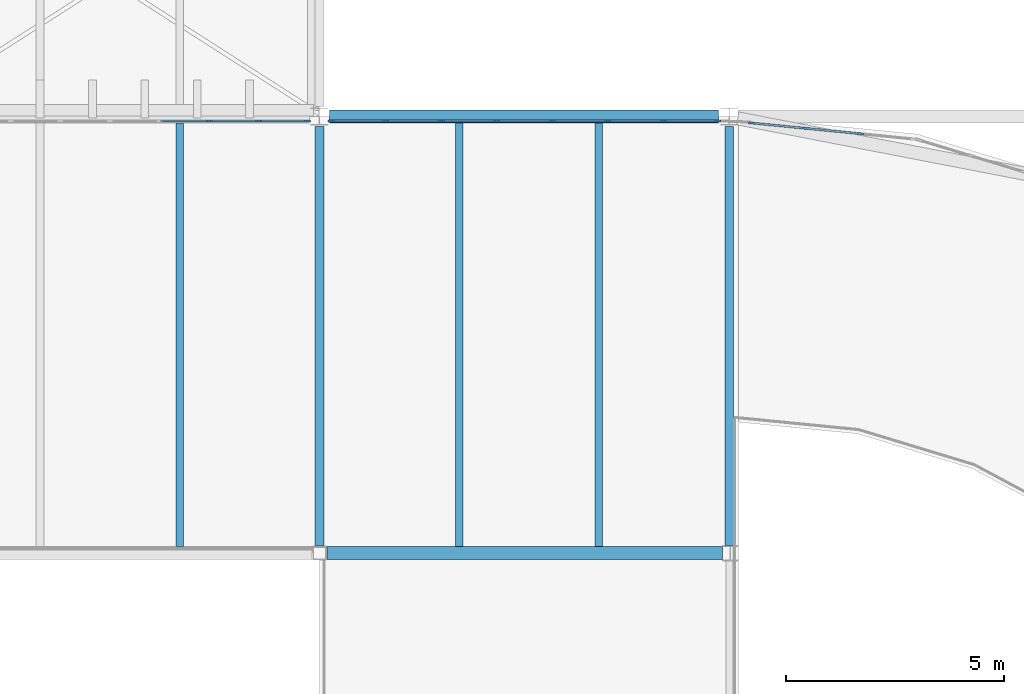
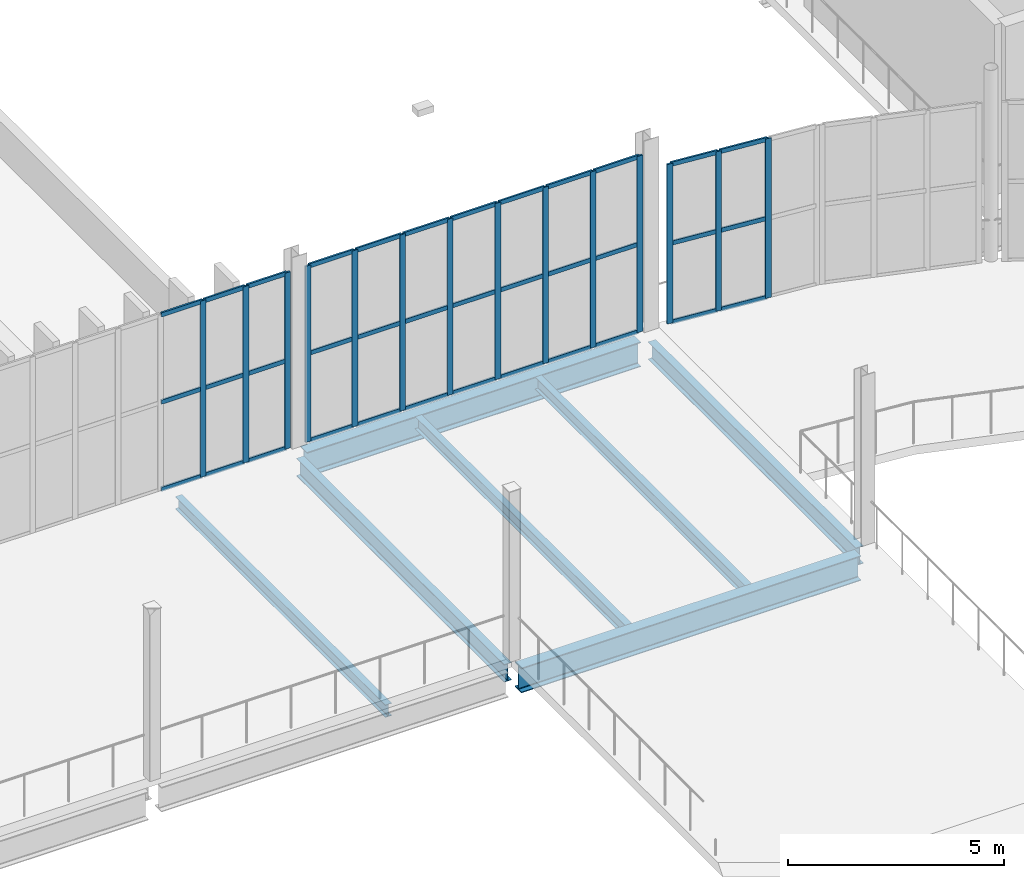
# One storey, part 66 of 112: 50 members, 7 beams, 3 elements without a shape of their own.
"""IFC4 building model written with IfcOpenShell, lengths in metres."""

from ifc_helpers import new_model, si_unit, direction, frame, origin, origin_2d, place, context, subcontext, project, spatial, rectangle, i_section, extrude, material, layer, layer_set, material_profile, profile_set, type_object, element, aggregate, save


model = new_model("IFC4")

# Units and contexts
model_context = context("Model", 3, precision=1e-05, world=origin(), true_north=direction((0.0, 1.0)))
body_context = subcontext(model_context, "Body", "Model", "MODEL_VIEW")
ifc_project = project(units=[si_unit("LENGTHUNIT", "METRE"), si_unit("AREAUNIT", "SQUARE_METRE"), si_unit("VOLUMEUNIT", "CUBIC_METRE"), si_unit("PLANEANGLEUNIT", "RADIAN"), si_unit("MASSUNIT", "GRAM", prefix="KILO")], contexts=[model_context])

# Site, building, storey
site_placement = place(None, origin())
site = spatial("IfcSite", under=ifc_project, at=site_placement, CompositionType="ELEMENT")
building_placement = place(site_placement, origin())
building = spatial("IfcBuilding", under=site, at=building_placement, Name="Yeouljin Market Hall", CompositionType="ELEMENT")
storey_placement = place(building_placement, frame((0.0, 0.0, 6.0)))
storey = spatial("IfcBuildingStorey", under=building, at=storey_placement, Name="L01", CompositionType="ELEMENT", Elevation=6.0)

# Beams
ifc_material_1 = material(Name="Steel SM355", Category="steel")
ifc_material_profile_1 = material_profile(ifc_material_1, i_section(OverallWidth=0.199951171875, OverallDepth=0.5, WebThickness=0.010009765625, FlangeThickness=0.01611328125, FilletRadius=0.02001953125, at=origin_2d()), Name="H-500x200x10x16")
ifc_profile_set_1 = profile_set([ifc_material_profile_1], Name="Steel SM355")
beam_type_1 = type_object("IfcBeamType", Name="Beam_H-500x200x10x16", PredefinedType="BEAM", material=ifc_profile_set_1)
for number, where, z_axis, x_axis, name in (
    (1, (131.39990234375, 68.175048828125, -0.52001953125), (0.0, 1.0, 0.0), (-1.0, 0.0, 0.0), "Primary beam BM-L01-Y202"),
    (2, (140.784912109375, 68.175048828125, -0.52001953125), (0.0, 1.0, 0.0), (-1.0, 0.0, 0.0), "Primary beam BM-L01-Y214"),
):
    element("IfcBeam", number, at=place(storey_placement, frame(where, z_axis=z_axis, x_axis=x_axis)), inside=storey, type_object=beam_type_1, Name=name, PredefinedType="BEAM", context=body_context, shape_type="SweptSolid", body=[
        extrude(i_section(OverallWidth=0.199951171875, OverallDepth=0.5, WebThickness=0.010009765625, FlangeThickness=0.01611328125, FilletRadius=0.02001953125, at=origin_2d()), origin(), (0.0, 0.0, 1.0), 9.599853515625),
    ])

# Curtain wall, members
ifc_material_2 = material(Name="Thermally Broken Aluminium", Category="aluminium")
ifc_layer_1 = layer(ifc_material_2, 0.159912109375)
ifc_layer_set_1 = layer_set([ifc_layer_1], Name="Thermally Broken Aluminium")
curtain_wall_type_1 = type_object("IfcCurtainWallType", Name="CW_HallClerestory_System", PredefinedType="USERDEFINED", material=ifc_layer_set_1)
curtain_wall_1_placement = place(storey_placement, origin())
curtain_wall_1 = element("IfcCurtainWall", 3, at=curtain_wall_1_placement, inside=storey, type_object=curtain_wall_type_1, Name="Curtain wall CW-V1N-UP-10", ObjectType="CURTAIN WALL", PredefinedType="USERDEFINED")
ifc_material_3 = material(Name="Thermally Broken Aluminium", Category="aluminium")
ifc_material_profile_2 = material_profile(ifc_material_3, rectangle(XDim=0.048095703125, YDim=0.14990234375, at=origin_2d()), Name="CW-MULL-48x150")
ifc_profile_set_2 = profile_set([ifc_material_profile_2], Name="Thermally Broken Aluminium")
member_type_1 = type_object("IfcMemberType", Name="CWMullion_48x150", PredefinedType="MULLION", material=ifc_profile_set_2)
member_1_placement = place(storey_placement, frame((128.875, 77.89990234375, 0.0), z_axis=(0.0, 0.0, 1.0), x_axis=(0.0, 1.0, 0.0)))
member_1 = element("IfcMember", 4, at=member_1_placement, type_object=member_type_1, Name="CW-02 mullion 7", PredefinedType="MULLION", context=body_context, shape_type="SweptSolid", body=[
    extrude(rectangle(XDim=0.048095703125, YDim=0.14990234375, at=origin_2d()), origin(), (0.0, 0.0, 1.0), 4.969970703125),
])
member_2_placement = place(storey_placement, frame((130.012451171875, 77.89990234375, 0.0), z_axis=(0.0, 0.0, 1.0), x_axis=(0.0, 1.0, 0.0)))
member_2 = element("IfcMember", 5, at=member_2_placement, type_object=member_type_1, Name="CW-02 mullion 8", PredefinedType="MULLION", context=body_context, shape_type="SweptSolid", body=[
    extrude(rectangle(XDim=0.048095703125, YDim=0.14990234375, at=origin_2d()), origin(), (0.0, 0.0, 1.0), 4.969970703125),
])
member_3_placement = place(storey_placement, frame((131.1259765625, 77.89990234375, 0.0), z_axis=(0.0, 0.0, 1.0), x_axis=(0.0, 1.0, 0.0)))
member_3 = element("IfcMember", 6, at=member_3_placement, type_object=member_type_1, Name="CW-02 mullion 9", PredefinedType="MULLION", context=body_context, shape_type="SweptSolid", body=[
    extrude(rectangle(XDim=0.048095703125, YDim=0.14990234375, at=origin_2d()), origin(), (0.0, 0.0, 1.0), 4.969970703125),
])

curtain_wall_2_placement = place(storey_placement, origin())
curtain_wall_2 = element("IfcCurtainWall", 7, at=curtain_wall_2_placement, inside=storey, type_object=curtain_wall_type_1, Name="Curtain wall CW-V1N-UP-11", ObjectType="CURTAIN WALL", PredefinedType="USERDEFINED")
member_4_placement = place(storey_placement, frame((131.674072265625, 77.89990234375, 0.0), z_axis=(0.0, 0.0, 1.0), x_axis=(0.0, 1.0, 0.0)))
member_4 = element("IfcMember", 8, at=member_4_placement, type_object=member_type_1, Name="CW-02 mullion 1", PredefinedType="MULLION", context=body_context, shape_type="SweptSolid", body=[
    extrude(rectangle(XDim=0.048095703125, YDim=0.14990234375, at=origin_2d()), origin(), (0.0, 0.0, 1.0), 4.969970703125),
])
member_5_placement = place(storey_placement, frame((132.92138671875, 77.89990234375, 0.0), z_axis=(0.0, 0.0, 1.0), x_axis=(0.0, 1.0, 0.0)))
member_5 = element("IfcMember", 9, at=member_5_placement, type_object=member_type_1, Name="CW-02 mullion 2", PredefinedType="MULLION", context=body_context, shape_type="SweptSolid", body=[
    extrude(rectangle(XDim=0.048095703125, YDim=0.14990234375, at=origin_2d()), origin(), (0.0, 0.0, 1.0), 4.969970703125),
])
member_6_placement = place(storey_placement, frame((134.19287109375, 77.89990234375, 0.0), z_axis=(0.0, 0.0, 1.0), x_axis=(0.0, 1.0, 0.0)))
member_6 = element("IfcMember", 10, at=member_6_placement, type_object=member_type_1, Name="CW-02 mullion 3", PredefinedType="MULLION", context=body_context, shape_type="SweptSolid", body=[
    extrude(rectangle(XDim=0.048095703125, YDim=0.14990234375, at=origin_2d()), origin(), (0.0, 0.0, 1.0), 4.969970703125),
])
member_7_placement = place(storey_placement, frame((135.46435546875, 77.89990234375, 0.0), z_axis=(0.0, 0.0, 1.0), x_axis=(0.0, 1.0, 0.0)))
member_7 = element("IfcMember", 11, at=member_7_placement, type_object=member_type_1, Name="CW-02 mullion 4", PredefinedType="MULLION", context=body_context, shape_type="SweptSolid", body=[
    extrude(rectangle(XDim=0.048095703125, YDim=0.14990234375, at=origin_2d()), origin(), (0.0, 0.0, 1.0), 4.969970703125),
])
member_8_placement = place(storey_placement, frame((136.735595703125, 77.89990234375, 0.0), z_axis=(0.0, 0.0, 1.0), x_axis=(0.0, 1.0, 0.0)))
member_8 = element("IfcMember", 12, at=member_8_placement, type_object=member_type_1, Name="CW-02 mullion 5", PredefinedType="MULLION", context=body_context, shape_type="SweptSolid", body=[
    extrude(rectangle(XDim=0.048095703125, YDim=0.14990234375, at=origin_2d()), origin(), (0.0, 0.0, 1.0), 4.969970703125),
])
member_9_placement = place(storey_placement, frame((138.007080078125, 77.89990234375, 0.0), z_axis=(0.0, 0.0, 1.0), x_axis=(0.0, 1.0, 0.0)))
member_9 = element("IfcMember", 13, at=member_9_placement, type_object=member_type_1, Name="CW-02 mullion 6", PredefinedType="MULLION", context=body_context, shape_type="SweptSolid", body=[
    extrude(rectangle(XDim=0.048095703125, YDim=0.14990234375, at=origin_2d()), origin(), (0.0, 0.0, 1.0), 4.969970703125),
])
member_10_placement = place(storey_placement, frame((139.278564453125, 77.89990234375, 0.0), z_axis=(0.0, 0.0, 1.0), x_axis=(0.0, 1.0, 0.0)))
member_10 = element("IfcMember", 14, at=member_10_placement, type_object=member_type_1, Name="CW-02 mullion 7", PredefinedType="MULLION", context=body_context, shape_type="SweptSolid", body=[
    extrude(rectangle(XDim=0.048095703125, YDim=0.14990234375, at=origin_2d()), origin(), (0.0, 0.0, 1.0), 4.969970703125),
])
member_11_placement = place(storey_placement, frame((140.52587890625, 77.89990234375, 0.0), z_axis=(0.0, 0.0, 1.0), x_axis=(0.0, 1.0, 0.0)))
member_11 = element("IfcMember", 15, at=member_11_placement, type_object=member_type_1, Name="CW-02 mullion 8", PredefinedType="MULLION", context=body_context, shape_type="SweptSolid", body=[
    extrude(rectangle(XDim=0.048095703125, YDim=0.14990234375, at=origin_2d()), origin(), (0.0, 0.0, 1.0), 4.969970703125),
])

ifc_material_4 = material(Name="Thermally Broken Aluminium", Category="aluminium")
ifc_layer_2 = layer(ifc_material_4, 0.179931640625)
ifc_layer_set_2 = layer_set([ifc_layer_2], Name="Thermally Broken Aluminium")
curtain_wall_type_2 = type_object("IfcCurtainWallType", Name="CW_ApseCurved_System", PredefinedType="USERDEFINED", material=ifc_layer_set_2)
curtain_wall_3_placement = place(storey_placement, origin())
curtain_wall_3 = element("IfcCurtainWall", 16, at=curtain_wall_3_placement, inside=storey, type_object=curtain_wall_type_2, Name="Curtain wall CW-AP-EL01-16", ObjectType="CURTAIN WALL", PredefinedType="USERDEFINED")
member_12_placement = place(storey_placement, frame((141.302490234375, 77.850341796875, 0.0), z_axis=(0.0, 0.0, 1.0), x_axis=(0.09803414403, 0.995183051807, 0.0)))
member_12 = element("IfcMember", 17, at=member_12_placement, type_object=member_type_1, Name="CW-03 mullion 1", PredefinedType="MULLION", context=body_context, shape_type="SweptSolid", body=[
    extrude(rectangle(XDim=0.048095703125, YDim=0.14990234375, at=origin_2d()), origin(), (0.0, 0.0, 1.0), 4.5),
])
member_13_placement = place(storey_placement, frame((142.5302734375, 77.729248046875, 0.0), z_axis=(0.0, 0.0, 1.0), x_axis=(0.09803414403, 0.995183051807, 0.0)))
member_13 = element("IfcMember", 18, at=member_13_placement, type_object=member_type_1, Name="CW-03 mullion 2", PredefinedType="MULLION", context=body_context, shape_type="SweptSolid", body=[
    extrude(rectangle(XDim=0.048095703125, YDim=0.14990234375, at=origin_2d()), origin(), (0.0, 0.0, 1.0), 4.5),
])
member_14_placement = place(storey_placement, frame((143.781982421875, 77.60595703125, 0.0), z_axis=(0.0, 0.0, 1.0), x_axis=(0.09803414403, 0.995183051807, 0.0)))
member_14 = element("IfcMember", 19, at=member_14_placement, type_object=member_type_1, Name="CW-03 mullion 3", PredefinedType="MULLION", context=body_context, shape_type="SweptSolid", body=[
    extrude(rectangle(XDim=0.048095703125, YDim=0.14990234375, at=origin_2d()), origin(), (0.0, 0.0, 1.0), 4.5),
])

# Member
ifc_material_5 = material(Name="Thermally Broken Aluminium", Category="aluminium")
ifc_material_profile_3 = material_profile(ifc_material_5, rectangle(XDim=0.048095703125, YDim=0.1201171875, at=origin_2d()), Name="CW-TRAN-48x120")
ifc_profile_set_3 = profile_set([ifc_material_profile_3], Name="Thermally Broken Aluminium")
member_type_2 = type_object("IfcMemberType", Name="CWTransom_48x120", PredefinedType="USERDEFINED", material=ifc_profile_set_3)
member_15_placement = place(storey_placement, frame((127.761474609375, 77.89990234375, 0.02392578125), z_axis=(1.0, 0.0, 0.0), x_axis=(0.0, 1.0, 0.0)))
member_15 = element("IfcMember", 20, at=member_15_placement, type_object=member_type_2, Name="CW-02 transom 6.1", ObjectType="TRANSOM", PredefinedType="USERDEFINED", context=body_context, shape_type="SweptSolid", body=[
    extrude(rectangle(XDim=0.048095703125, YDim=0.1201171875, at=origin_2d()), origin(), (0.0, 0.0, 1.0), 1.089599609375),
])

member_16_placement = place(storey_placement, frame((127.761474609375, 77.89990234375, 2.485107421875), z_axis=(1.0, 0.0, 0.0), x_axis=(0.0, 1.0, 0.0)))
member_16 = element("IfcMember", 21, at=member_16_placement, type_object=member_type_2, Name="CW-02 transom 6.2", ObjectType="TRANSOM", PredefinedType="USERDEFINED", context=body_context, shape_type="SweptSolid", body=[
    extrude(rectangle(XDim=0.048095703125, YDim=0.1201171875, at=origin_2d()), origin(), (0.0, 0.0, 1.0), 1.089599609375),
])

member_17_placement = place(storey_placement, frame((127.761474609375, 77.89990234375, 4.946044921875), z_axis=(1.0, 0.0, 0.0), x_axis=(0.0, 1.0, 0.0)))
member_17 = element("IfcMember", 22, at=member_17_placement, type_object=member_type_2, Name="CW-02 transom 6.3", ObjectType="TRANSOM", PredefinedType="USERDEFINED", context=body_context, shape_type="SweptSolid", body=[
    extrude(rectangle(XDim=0.048095703125, YDim=0.1201171875, at=origin_2d()), origin(), (0.0, 0.0, 1.0), 1.089599609375),
])

member_18_placement = place(storey_placement, frame((128.89892578125, 77.89990234375, 0.02392578125), z_axis=(1.0, 0.0, 0.0), x_axis=(0.0, 1.0, 0.0)))
member_18 = element("IfcMember", 23, at=member_18_placement, type_object=member_type_2, Name="CW-02 transom 7.1", ObjectType="TRANSOM", PredefinedType="USERDEFINED", context=body_context, shape_type="SweptSolid", body=[
    extrude(rectangle(XDim=0.048095703125, YDim=0.1201171875, at=origin_2d()), origin(), (0.0, 0.0, 1.0), 1.089599609375),
])

member_19_placement = place(storey_placement, frame((128.89892578125, 77.89990234375, 2.485107421875), z_axis=(1.0, 0.0, 0.0), x_axis=(0.0, 1.0, 0.0)))
member_19 = element("IfcMember", 24, at=member_19_placement, type_object=member_type_2, Name="CW-02 transom 7.2", ObjectType="TRANSOM", PredefinedType="USERDEFINED", context=body_context, shape_type="SweptSolid", body=[
    extrude(rectangle(XDim=0.048095703125, YDim=0.1201171875, at=origin_2d()), origin(), (0.0, 0.0, 1.0), 1.089599609375),
])

member_20_placement = place(storey_placement, frame((128.89892578125, 77.89990234375, 4.946044921875), z_axis=(1.0, 0.0, 0.0), x_axis=(0.0, 1.0, 0.0)))
member_20 = element("IfcMember", 25, at=member_20_placement, type_object=member_type_2, Name="CW-02 transom 7.3", ObjectType="TRANSOM", PredefinedType="USERDEFINED", context=body_context, shape_type="SweptSolid", body=[
    extrude(rectangle(XDim=0.048095703125, YDim=0.1201171875, at=origin_2d()), origin(), (0.0, 0.0, 1.0), 1.089599609375),
])

member_21_placement = place(storey_placement, frame((130.03662109375, 77.89990234375, 0.02392578125), z_axis=(1.0, 0.0, 0.0), x_axis=(0.0, 1.0, 0.0)))
member_21 = element("IfcMember", 26, at=member_21_placement, type_object=member_type_2, Name="CW-02 transom 8.1", ObjectType="TRANSOM", PredefinedType="USERDEFINED", context=body_context, shape_type="SweptSolid", body=[
    extrude(rectangle(XDim=0.048095703125, YDim=0.1201171875, at=origin_2d()), origin(), (0.0, 0.0, 1.0), 1.0654296875),
])

member_22_placement = place(storey_placement, frame((130.03662109375, 77.89990234375, 2.485107421875), z_axis=(1.0, 0.0, 0.0), x_axis=(0.0, 1.0, 0.0)))
member_22 = element("IfcMember", 27, at=member_22_placement, type_object=member_type_2, Name="CW-02 transom 8.2", ObjectType="TRANSOM", PredefinedType="USERDEFINED", context=body_context, shape_type="SweptSolid", body=[
    extrude(rectangle(XDim=0.048095703125, YDim=0.1201171875, at=origin_2d()), origin(), (0.0, 0.0, 1.0), 1.0654296875),
])

member_23_placement = place(storey_placement, frame((130.03662109375, 77.89990234375, 4.946044921875), z_axis=(1.0, 0.0, 0.0), x_axis=(0.0, 1.0, 0.0)))
member_23 = element("IfcMember", 28, at=member_23_placement, type_object=member_type_2, Name="CW-02 transom 8.3", ObjectType="TRANSOM", PredefinedType="USERDEFINED", context=body_context, shape_type="SweptSolid", body=[
    extrude(rectangle(XDim=0.048095703125, YDim=0.1201171875, at=origin_2d()), origin(), (0.0, 0.0, 1.0), 1.0654296875),
])

aggregate(curtain_wall_1, [member_1, member_2, member_3, member_15, member_16, member_17, member_18, member_19, member_20, member_21, member_22, member_23])

member_24_placement = place(storey_placement, frame((131.697998046875, 77.89990234375, 0.02392578125), z_axis=(1.0, 0.0, 0.0), x_axis=(0.0, 1.0, 0.0)))
member_24 = element("IfcMember", 29, at=member_24_placement, type_object=member_type_2, Name="CW-02 transom 1.1", ObjectType="TRANSOM", PredefinedType="USERDEFINED", context=body_context, shape_type="SweptSolid", body=[
    extrude(rectangle(XDim=0.048095703125, YDim=0.1201171875, at=origin_2d()), origin(), (0.0, 0.0, 1.0), 1.199462890625),
])

member_25_placement = place(storey_placement, frame((131.697998046875, 77.89990234375, 2.485107421875), z_axis=(1.0, 0.0, 0.0), x_axis=(0.0, 1.0, 0.0)))
member_25 = element("IfcMember", 30, at=member_25_placement, type_object=member_type_2, Name="CW-02 transom 1.2", ObjectType="TRANSOM", PredefinedType="USERDEFINED", context=body_context, shape_type="SweptSolid", body=[
    extrude(rectangle(XDim=0.048095703125, YDim=0.1201171875, at=origin_2d()), origin(), (0.0, 0.0, 1.0), 1.199462890625),
])

member_26_placement = place(storey_placement, frame((131.697998046875, 77.89990234375, 4.946044921875), z_axis=(1.0, 0.0, 0.0), x_axis=(0.0, 1.0, 0.0)))
member_26 = element("IfcMember", 31, at=member_26_placement, type_object=member_type_2, Name="CW-02 transom 1.3", ObjectType="TRANSOM", PredefinedType="USERDEFINED", context=body_context, shape_type="SweptSolid", body=[
    extrude(rectangle(XDim=0.048095703125, YDim=0.1201171875, at=origin_2d()), origin(), (0.0, 0.0, 1.0), 1.199462890625),
])

member_27_placement = place(storey_placement, frame((132.9453125, 77.89990234375, 0.02392578125), z_axis=(1.0, 0.0, 0.0), x_axis=(0.0, 1.0, 0.0)))
member_27 = element("IfcMember", 32, at=member_27_placement, type_object=member_type_2, Name="CW-02 transom 2.1", ObjectType="TRANSOM", PredefinedType="USERDEFINED", context=body_context, shape_type="SweptSolid", body=[
    extrude(rectangle(XDim=0.048095703125, YDim=0.1201171875, at=origin_2d()), origin(), (0.0, 0.0, 1.0), 1.2236328125),
])

member_28_placement = place(storey_placement, frame((132.9453125, 77.89990234375, 2.485107421875), z_axis=(1.0, 0.0, 0.0), x_axis=(0.0, 1.0, 0.0)))
member_28 = element("IfcMember", 33, at=member_28_placement, type_object=member_type_2, Name="CW-02 transom 2.2", ObjectType="TRANSOM", PredefinedType="USERDEFINED", context=body_context, shape_type="SweptSolid", body=[
    extrude(rectangle(XDim=0.048095703125, YDim=0.1201171875, at=origin_2d()), origin(), (0.0, 0.0, 1.0), 1.2236328125),
])

member_29_placement = place(storey_placement, frame((132.9453125, 77.89990234375, 4.946044921875), z_axis=(1.0, 0.0, 0.0), x_axis=(0.0, 1.0, 0.0)))
member_29 = element("IfcMember", 34, at=member_29_placement, type_object=member_type_2, Name="CW-02 transom 2.3", ObjectType="TRANSOM", PredefinedType="USERDEFINED", context=body_context, shape_type="SweptSolid", body=[
    extrude(rectangle(XDim=0.048095703125, YDim=0.1201171875, at=origin_2d()), origin(), (0.0, 0.0, 1.0), 1.2236328125),
])

member_30_placement = place(storey_placement, frame((134.216796875, 77.89990234375, 0.02392578125), z_axis=(1.0, 0.0, 0.0), x_axis=(0.0, 1.0, 0.0)))
member_30 = element("IfcMember", 35, at=member_30_placement, type_object=member_type_2, Name="CW-02 transom 3.1", ObjectType="TRANSOM", PredefinedType="USERDEFINED", context=body_context, shape_type="SweptSolid", body=[
    extrude(rectangle(XDim=0.048095703125, YDim=0.1201171875, at=origin_2d()), origin(), (0.0, 0.0, 1.0), 1.223388671875),
])

member_31_placement = place(storey_placement, frame((134.216796875, 77.89990234375, 2.485107421875), z_axis=(1.0, 0.0, 0.0), x_axis=(0.0, 1.0, 0.0)))
member_31 = element("IfcMember", 36, at=member_31_placement, type_object=member_type_2, Name="CW-02 transom 3.2", ObjectType="TRANSOM", PredefinedType="USERDEFINED", context=body_context, shape_type="SweptSolid", body=[
    extrude(rectangle(XDim=0.048095703125, YDim=0.1201171875, at=origin_2d()), origin(), (0.0, 0.0, 1.0), 1.223388671875),
])

member_32_placement = place(storey_placement, frame((134.216796875, 77.89990234375, 4.946044921875), z_axis=(1.0, 0.0, 0.0), x_axis=(0.0, 1.0, 0.0)))
member_32 = element("IfcMember", 37, at=member_32_placement, type_object=member_type_2, Name="CW-02 transom 3.3", ObjectType="TRANSOM", PredefinedType="USERDEFINED", context=body_context, shape_type="SweptSolid", body=[
    extrude(rectangle(XDim=0.048095703125, YDim=0.1201171875, at=origin_2d()), origin(), (0.0, 0.0, 1.0), 1.223388671875),
])

member_33_placement = place(storey_placement, frame((135.48828125, 77.89990234375, 0.02392578125), z_axis=(1.0, 0.0, 0.0), x_axis=(0.0, 1.0, 0.0)))
member_33 = element("IfcMember", 38, at=member_33_placement, type_object=member_type_2, Name="CW-02 transom 4.1", ObjectType="TRANSOM", PredefinedType="USERDEFINED", context=body_context, shape_type="SweptSolid", body=[
    extrude(rectangle(XDim=0.048095703125, YDim=0.1201171875, at=origin_2d()), origin(), (0.0, 0.0, 1.0), 1.223388671875),
])

member_34_placement = place(storey_placement, frame((135.48828125, 77.89990234375, 2.485107421875), z_axis=(1.0, 0.0, 0.0), x_axis=(0.0, 1.0, 0.0)))
member_34 = element("IfcMember", 39, at=member_34_placement, type_object=member_type_2, Name="CW-02 transom 4.2", ObjectType="TRANSOM", PredefinedType="USERDEFINED", context=body_context, shape_type="SweptSolid", body=[
    extrude(rectangle(XDim=0.048095703125, YDim=0.1201171875, at=origin_2d()), origin(), (0.0, 0.0, 1.0), 1.223388671875),
])

member_35_placement = place(storey_placement, frame((135.48828125, 77.89990234375, 4.946044921875), z_axis=(1.0, 0.0, 0.0), x_axis=(0.0, 1.0, 0.0)))
member_35 = element("IfcMember", 40, at=member_35_placement, type_object=member_type_2, Name="CW-02 transom 4.3", ObjectType="TRANSOM", PredefinedType="USERDEFINED", context=body_context, shape_type="SweptSolid", body=[
    extrude(rectangle(XDim=0.048095703125, YDim=0.1201171875, at=origin_2d()), origin(), (0.0, 0.0, 1.0), 1.223388671875),
])

member_36_placement = place(storey_placement, frame((136.759765625, 77.89990234375, 0.02392578125), z_axis=(1.0, 0.0, 0.0), x_axis=(0.0, 1.0, 0.0)))
member_36 = element("IfcMember", 41, at=member_36_placement, type_object=member_type_2, Name="CW-02 transom 5.1", ObjectType="TRANSOM", PredefinedType="USERDEFINED", context=body_context, shape_type="SweptSolid", body=[
    extrude(rectangle(XDim=0.048095703125, YDim=0.1201171875, at=origin_2d()), origin(), (0.0, 0.0, 1.0), 1.223388671875),
])

member_37_placement = place(storey_placement, frame((136.759765625, 77.89990234375, 2.485107421875), z_axis=(1.0, 0.0, 0.0), x_axis=(0.0, 1.0, 0.0)))
member_37 = element("IfcMember", 42, at=member_37_placement, type_object=member_type_2, Name="CW-02 transom 5.2", ObjectType="TRANSOM", PredefinedType="USERDEFINED", context=body_context, shape_type="SweptSolid", body=[
    extrude(rectangle(XDim=0.048095703125, YDim=0.1201171875, at=origin_2d()), origin(), (0.0, 0.0, 1.0), 1.223388671875),
])

member_38_placement = place(storey_placement, frame((136.759765625, 77.89990234375, 4.946044921875), z_axis=(1.0, 0.0, 0.0), x_axis=(0.0, 1.0, 0.0)))
member_38 = element("IfcMember", 43, at=member_38_placement, type_object=member_type_2, Name="CW-02 transom 5.3", ObjectType="TRANSOM", PredefinedType="USERDEFINED", context=body_context, shape_type="SweptSolid", body=[
    extrude(rectangle(XDim=0.048095703125, YDim=0.1201171875, at=origin_2d()), origin(), (0.0, 0.0, 1.0), 1.223388671875),
])

member_39_placement = place(storey_placement, frame((138.03125, 77.89990234375, 0.02392578125), z_axis=(1.0, 0.0, 0.0), x_axis=(0.0, 1.0, 0.0)))
member_39 = element("IfcMember", 44, at=member_39_placement, type_object=member_type_2, Name="CW-02 transom 6.1", ObjectType="TRANSOM", PredefinedType="USERDEFINED", context=body_context, shape_type="SweptSolid", body=[
    extrude(rectangle(XDim=0.048095703125, YDim=0.1201171875, at=origin_2d()), origin(), (0.0, 0.0, 1.0), 1.223388671875),
])

member_40_placement = place(storey_placement, frame((138.03125, 77.89990234375, 2.485107421875), z_axis=(1.0, 0.0, 0.0), x_axis=(0.0, 1.0, 0.0)))
member_40 = element("IfcMember", 45, at=member_40_placement, type_object=member_type_2, Name="CW-02 transom 6.2", ObjectType="TRANSOM", PredefinedType="USERDEFINED", context=body_context, shape_type="SweptSolid", body=[
    extrude(rectangle(XDim=0.048095703125, YDim=0.1201171875, at=origin_2d()), origin(), (0.0, 0.0, 1.0), 1.223388671875),
])

member_41_placement = place(storey_placement, frame((138.03125, 77.89990234375, 4.946044921875), z_axis=(1.0, 0.0, 0.0), x_axis=(0.0, 1.0, 0.0)))
member_41 = element("IfcMember", 46, at=member_41_placement, type_object=member_type_2, Name="CW-02 transom 6.3", ObjectType="TRANSOM", PredefinedType="USERDEFINED", context=body_context, shape_type="SweptSolid", body=[
    extrude(rectangle(XDim=0.048095703125, YDim=0.1201171875, at=origin_2d()), origin(), (0.0, 0.0, 1.0), 1.223388671875),
])

member_42_placement = place(storey_placement, frame((139.302490234375, 77.89990234375, 0.02392578125), z_axis=(1.0, 0.0, 0.0), x_axis=(0.0, 1.0, 0.0)))
member_42 = element("IfcMember", 47, at=member_42_placement, type_object=member_type_2, Name="CW-02 transom 7.1", ObjectType="TRANSOM", PredefinedType="USERDEFINED", context=body_context, shape_type="SweptSolid", body=[
    extrude(rectangle(XDim=0.048095703125, YDim=0.1201171875, at=origin_2d()), origin(), (0.0, 0.0, 1.0), 1.199462890625),
])

member_43_placement = place(storey_placement, frame((139.302490234375, 77.89990234375, 2.485107421875), z_axis=(1.0, 0.0, 0.0), x_axis=(0.0, 1.0, 0.0)))
member_43 = element("IfcMember", 48, at=member_43_placement, type_object=member_type_2, Name="CW-02 transom 7.2", ObjectType="TRANSOM", PredefinedType="USERDEFINED", context=body_context, shape_type="SweptSolid", body=[
    extrude(rectangle(XDim=0.048095703125, YDim=0.1201171875, at=origin_2d()), origin(), (0.0, 0.0, 1.0), 1.199462890625),
])

member_44_placement = place(storey_placement, frame((139.302490234375, 77.89990234375, 4.946044921875), z_axis=(1.0, 0.0, 0.0), x_axis=(0.0, 1.0, 0.0)))
member_44 = element("IfcMember", 49, at=member_44_placement, type_object=member_type_2, Name="CW-02 transom 7.3", ObjectType="TRANSOM", PredefinedType="USERDEFINED", context=body_context, shape_type="SweptSolid", body=[
    extrude(rectangle(XDim=0.048095703125, YDim=0.1201171875, at=origin_2d()), origin(), (0.0, 0.0, 1.0), 1.199462890625),
])

aggregate(curtain_wall_2, [member_4, member_5, member_6, member_7, member_8, member_9, member_10, member_11, member_24, member_25, member_26, member_27, member_28, member_29, member_30, member_31, member_32, member_33, member_34, member_35, member_36, member_37, member_38, member_39, member_40, member_41, member_42, member_43, member_44])

member_45_placement = place(storey_placement, frame((141.326416015625, 77.847900390625, 0.02392578125), z_axis=(0.995186884102, -0.097995233106, 0.0), x_axis=(0.097995233106, 0.995186884102, 0.0)))
member_45 = element("IfcMember", 50, at=member_45_placement, type_object=member_type_2, Name="CW-03 transom 1.1", ObjectType="TRANSOM", PredefinedType="USERDEFINED", context=body_context, shape_type="SweptSolid", body=[
    extrude(rectangle(XDim=0.048095703125, YDim=0.1201171875, at=origin_2d()), origin(), (0.0, 0.0, 1.0), 1.185791015625),
])

member_46_placement = place(storey_placement, frame((141.326416015625, 77.847900390625, 2.25), z_axis=(0.995186884102, -0.097995233106, 0.0), x_axis=(0.097995233106, 0.995186884102, 0.0)))
member_46 = element("IfcMember", 51, at=member_46_placement, type_object=member_type_2, Name="CW-03 transom 1.2", ObjectType="TRANSOM", PredefinedType="USERDEFINED", context=body_context, shape_type="SweptSolid", body=[
    extrude(rectangle(XDim=0.048095703125, YDim=0.1201171875, at=origin_2d()), origin(), (0.0, 0.0, 1.0), 1.185791015625),
])

member_47_placement = place(storey_placement, frame((141.326416015625, 77.847900390625, 4.47607421875), z_axis=(0.995186884102, -0.097995233106, 0.0), x_axis=(0.097995233106, 0.995186884102, 0.0)))
member_47 = element("IfcMember", 52, at=member_47_placement, type_object=member_type_2, Name="CW-03 transom 1.3", ObjectType="TRANSOM", PredefinedType="USERDEFINED", context=body_context, shape_type="SweptSolid", body=[
    extrude(rectangle(XDim=0.048095703125, YDim=0.1201171875, at=origin_2d()), origin(), (0.0, 0.0, 1.0), 1.185791015625),
])

member_48_placement = place(storey_placement, frame((142.55419921875, 77.72705078125, 0.02392578125), z_axis=(0.995178052762, -0.098084878045, 0.0), x_axis=(0.098084878045, 0.995178052762, 0.0)))
member_48 = element("IfcMember", 53, at=member_48_placement, type_object=member_type_2, Name="CW-03 transom 2.1", ObjectType="TRANSOM", PredefinedType="USERDEFINED", context=body_context, shape_type="SweptSolid", body=[
    extrude(rectangle(XDim=0.048095703125, YDim=0.1201171875, at=origin_2d()), origin(), (0.0, 0.0, 1.0), 1.209716796875),
])

member_49_placement = place(storey_placement, frame((142.55419921875, 77.72705078125, 2.25), z_axis=(0.995178052762, -0.098084878045, 0.0), x_axis=(0.098084878045, 0.995178052762, 0.0)))
member_49 = element("IfcMember", 54, at=member_49_placement, type_object=member_type_2, Name="CW-03 transom 2.2", ObjectType="TRANSOM", PredefinedType="USERDEFINED", context=body_context, shape_type="SweptSolid", body=[
    extrude(rectangle(XDim=0.048095703125, YDim=0.1201171875, at=origin_2d()), origin(), (0.0, 0.0, 1.0), 1.209716796875),
])

member_50_placement = place(storey_placement, frame((142.55419921875, 77.72705078125, 4.47607421875), z_axis=(0.995178052762, -0.098084878045, 0.0), x_axis=(0.098084878045, 0.995178052762, 0.0)))
member_50 = element("IfcMember", 55, at=member_50_placement, type_object=member_type_2, Name="CW-03 transom 2.3", ObjectType="TRANSOM", PredefinedType="USERDEFINED", context=body_context, shape_type="SweptSolid", body=[
    extrude(rectangle(XDim=0.048095703125, YDim=0.1201171875, at=origin_2d()), origin(), (0.0, 0.0, 1.0), 1.209716796875),
])

aggregate(curtain_wall_3, [member_12, member_13, member_14, member_45, member_46, member_47, member_48, member_49, member_50])

# Beams
ifc_material_6 = material(Name="Steel SM355", Category="steel")
ifc_material_profile_4 = material_profile(ifc_material_6, i_section(OverallWidth=0.300048828125, OverallDepth=0.699951171875, WebThickness=0.012939453125, FlangeThickness=0.02392578125, FilletRadius=0.02587890625, at=origin_2d()), Name="H-700x300x13x24")
ifc_profile_set_4 = profile_set([ifc_material_profile_4], Name="Steel SM355")
beam_type_2 = type_object("IfcBeamType", Name="Girder_H-700x300x13x24", PredefinedType="USERDEFINED", material=ifc_profile_set_4)
beam_1_placement = place(storey_placement, frame((131.574951171875, 68.0, -0.6201171875), z_axis=(1.0, 0.0, 0.0), x_axis=(0.0, 1.0, 0.0)))
element("IfcBeam", 56, at=beam_1_placement, inside=storey, type_object=beam_type_2, Name="Primary girder GRD-L01-X077", ObjectType="GIRDER", PredefinedType="USERDEFINED", context=body_context, shape_type="SweptSolid", body=[
    extrude(i_section(OverallWidth=0.300048828125, OverallDepth=0.699951171875, WebThickness=0.012939453125, FlangeThickness=0.02392578125, FilletRadius=0.02587890625, at=origin_2d()), origin(), (0.0, 0.0, 1.0), 9.06005859375),
])
beam_2_placement = place(storey_placement, frame((131.625, 78.0, -0.6201171875), z_axis=(1.0, 0.0, 0.0), x_axis=(0.0, 1.0, 0.0)))
element("IfcBeam", 57, at=beam_2_placement, inside=storey, type_object=beam_type_2, Name="Primary girder GRD-L01-X091", ObjectType="GIRDER", PredefinedType="USERDEFINED", context=body_context, shape_type="SweptSolid", body=[
    extrude(i_section(OverallWidth=0.300048828125, OverallDepth=0.699951171875, WebThickness=0.012939453125, FlangeThickness=0.02392578125, FilletRadius=0.02587890625, at=origin_2d()), origin(), (0.0, 0.0, 1.0), 8.909912109375),
])
ifc_material_7 = material(Name="Steel SM355", Category="steel")
ifc_material_profile_5 = material_profile(ifc_material_7, i_section(OverallWidth=0.175048828125, OverallDepth=0.35009765625, WebThickness=0.007080078125, FlangeThickness=0.010986328125, FilletRadius=0.013916015625, at=origin_2d()), Name="H-350x175x7x11")
ifc_profile_set_5 = profile_set([ifc_material_profile_5], Name="Steel SM355")
beam_type_3 = type_object("IfcBeamType", Name="Joist_H-350x175x7x11", PredefinedType="JOIST", material=ifc_profile_set_5)
for number, where, z_axis, x_axis, name in (
    (58, (128.199951171875, 68.14697265625, -0.455078125), (0.0, 1.0, 0.0), (-1.0, 0.0, 0.0), "Secondary floor joist L01-085"),
    (59, (134.60009765625, 68.14697265625, -0.445068359375), (0.0, 1.0, 0.0), (-1.0, 0.0, 0.0), "Secondary floor joist L01-098"),
    (60, (137.800048828125, 68.14697265625, -0.445068359375), (0.0, 1.0, 0.0), (-1.0, 0.0, 0.0), "Secondary floor joist L01-099"),
):
    element("IfcBeam", number, at=place(storey_placement, frame(where, z_axis=z_axis, x_axis=x_axis)), inside=storey, type_object=beam_type_3, Name=name, PredefinedType="JOIST", context=body_context, shape_type="SweptSolid", body=[
        extrude(i_section(OverallWidth=0.175048828125, OverallDepth=0.35009765625, WebThickness=0.007080078125, FlangeThickness=0.010986328125, FilletRadius=0.013916015625, at=origin_2d()), origin(), (0.0, 0.0, 1.0), 9.7060546875),
    ])

save(model, "model.ifc")
